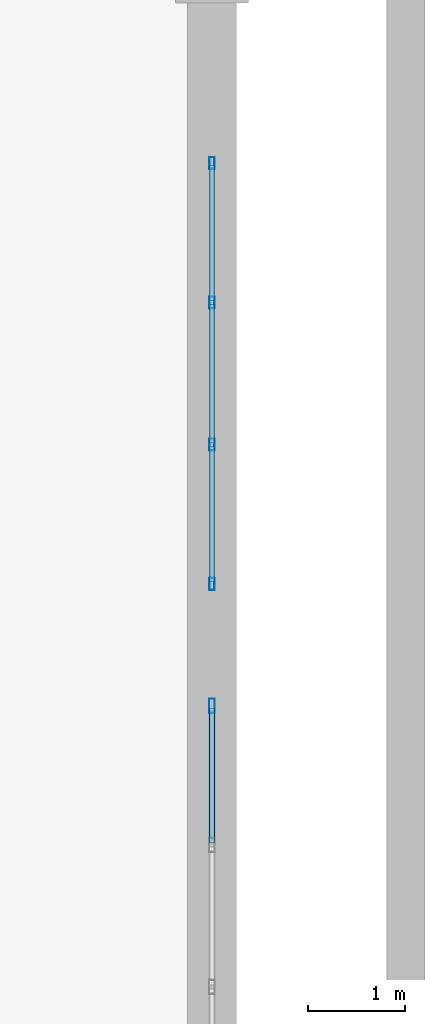
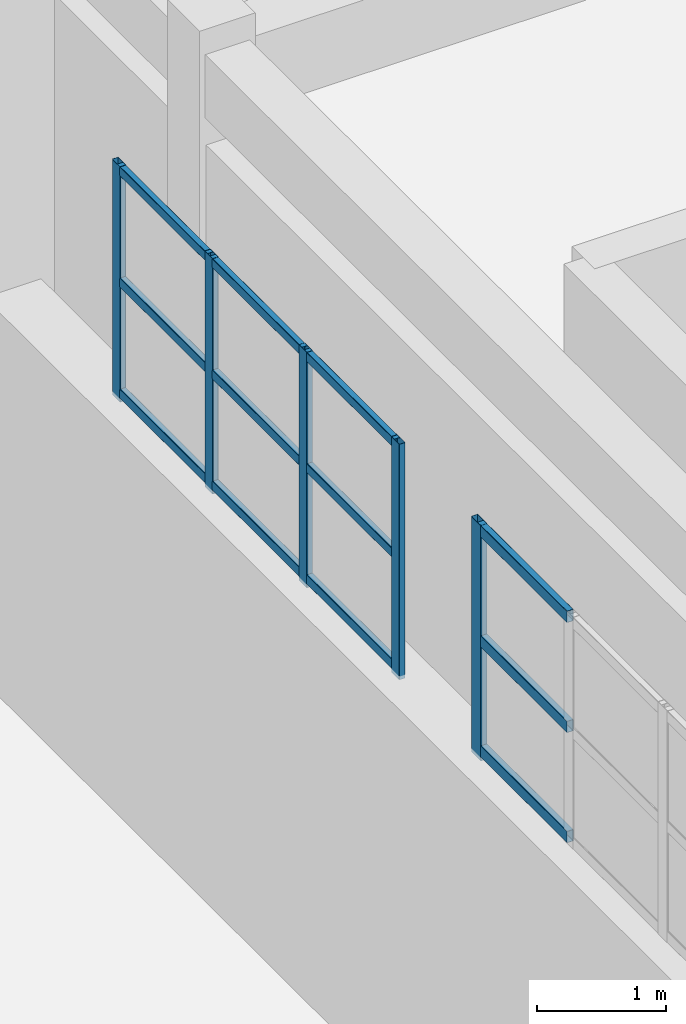
# One storey, part 115 of 197: 17 members, 2 elements without a shape of their own.
"""IFC4 building model written with IfcOpenShell, lengths in metres."""

from ifc_helpers import new_model, si_unit, derived_unit, direction, frame, origin, origin_2d, place, context, subcontext, project, spatial, hollow_rectangle, extrude, material, layer, layer_set, material_profile, profile_set, type_object, element, aggregate, save


model = new_model("IFC4")

# Units and contexts
model_context = context("Model", 3, precision=1e-05, world=origin(), true_north=direction((0.0, 1.0)))
body_context = subcontext(model_context, "Body", "Model", "MODEL_VIEW")
ifc_project = project(units=[si_unit("LENGTHUNIT", "METRE"), si_unit("AREAUNIT", "SQUARE_METRE"), si_unit("VOLUMEUNIT", "CUBIC_METRE"), si_unit("PLANEANGLEUNIT", "RADIAN"), si_unit("MASSUNIT", "GRAM", prefix="KILO"), derived_unit("THERMALTRANSMITTANCEUNIT", [(si_unit("POWERUNIT", "WATT"), 1), (si_unit("LENGTHUNIT", "METRE"), -2), (si_unit("THERMODYNAMICTEMPERATUREUNIT", "KELVIN"), -1)])], contexts=[model_context])

# Site, building, storey
site_placement = place(None, origin())
site = spatial("IfcSite", under=ifc_project, at=site_placement, CompositionType="ELEMENT")
building_placement = place(site_placement, origin())
building = spatial("IfcBuilding", under=site, at=building_placement, Name="Almenara Railside Exhibition Hall", CompositionType="ELEMENT")
storey_placement = place(building_placement, frame((0.0, 0.0, 5.39990234375)))
storey = spatial("IfcBuildingStorey", under=building, at=storey_placement, Name="L01", CompositionType="ELEMENT", Elevation=5.39990234375)

# Curtain wall, members
ifc_material_1 = material(Name="Bronze-anodised aluminium and low-E double glazing", Category="aluminium")
ifc_layer = layer(ifc_material_1, 0.179931640625, Name="Bronze-anodised aluminium and low-E double glazing")
ifc_layer_set = layer_set([ifc_layer], Name="Bronze-anodised aluminium and low-E double glazing")
curtain_wall_type = type_object("IfcCurtainWallType", Name="East Hall Clerestory Curtain Wall 4400x2300", PredefinedType="NOTDEFINED", material=ifc_layer_set)
curtain_wall_1_placement = place(storey_placement, origin())
curtain_wall_1 = element("IfcCurtainWall", 1, at=curtain_wall_1_placement, inside=storey, type_object=curtain_wall_type, Name="Curtain wall CW-CL3-054", PredefinedType="NOTDEFINED")
ifc_material_2 = material(Name="Bronze-anodised aluminium", Category="aluminium")
ifc_material_profile_1 = material_profile(ifc_material_2, hollow_rectangle(XDim=0.054931640625, YDim=0.125, WallThickness=0.0029296875, InnerFilletRadius=0.0029296875, OuterFilletRadius=0.006103515625, at=origin_2d()), Name="ALU-MUL 55x125x3")
ifc_profile_set_1 = profile_set([ifc_material_profile_1], Name="Bronze-anodised aluminium")
member_type_1 = type_object("IfcMemberType", Name="Curtain Wall Mullion 55x125x3", PredefinedType="MULLION", material=ifc_profile_set_1)
member_1_placement = place(storey_placement, frame((192.0, 41.62744140625, 3.614990234375), z_axis=(0.0, 0.0, 1.0), x_axis=(-1.0, 0.0, 0.0)))
member_1 = element("IfcMember", 2, at=member_1_placement, type_object=member_type_1, Name="CW-CL3-054 mullion 1", PredefinedType="MULLION", context=body_context, shape_type="SweptSolid", body=[
    extrude(hollow_rectangle(XDim=0.054931640625, YDim=0.125, WallThickness=0.0029296875, InnerFilletRadius=0.0029296875, OuterFilletRadius=0.006103515625, at=origin_2d()), origin(), (0.0, 0.0, 1.0), 2.235107421875),
])
member_2_placement = place(storey_placement, frame((192.0, 43.066650390625, 3.614990234375), z_axis=(0.0, 0.0, 1.0), x_axis=(-1.0, 0.0, 0.0)))
member_2 = element("IfcMember", 3, at=member_2_placement, type_object=member_type_1, Name="CW-CL3-054 mullion 2", PredefinedType="MULLION", context=body_context, shape_type="SweptSolid", body=[
    extrude(hollow_rectangle(XDim=0.054931640625, YDim=0.125, WallThickness=0.0029296875, InnerFilletRadius=0.0029296875, OuterFilletRadius=0.006103515625, at=origin_2d()), origin(), (0.0, 0.0, 1.0), 2.235107421875),
])
member_3_placement = place(storey_placement, frame((192.0, 44.533447265625, 3.614990234375), z_axis=(0.0, 0.0, 1.0), x_axis=(-1.0, 0.0, 0.0)))
member_3 = element("IfcMember", 4, at=member_3_placement, type_object=member_type_1, Name="CW-CL3-054 mullion 3", PredefinedType="MULLION", context=body_context, shape_type="SweptSolid", body=[
    extrude(hollow_rectangle(XDim=0.054931640625, YDim=0.125, WallThickness=0.0029296875, InnerFilletRadius=0.0029296875, OuterFilletRadius=0.006103515625, at=origin_2d()), origin(), (0.0, 0.0, 1.0), 2.235107421875),
])
member_4_placement = place(storey_placement, frame((192.0, 45.972412109375, 3.614990234375), z_axis=(0.0, 0.0, 1.0), x_axis=(-1.0, 0.0, 0.0)))
member_4 = element("IfcMember", 5, at=member_4_placement, type_object=member_type_1, Name="CW-CL3-054 mullion 4", PredefinedType="MULLION", context=body_context, shape_type="SweptSolid", body=[
    extrude(hollow_rectangle(XDim=0.054931640625, YDim=0.125, WallThickness=0.0029296875, InnerFilletRadius=0.0029296875, OuterFilletRadius=0.006103515625, at=origin_2d()), origin(), (0.0, 0.0, 1.0), 2.235107421875),
])

# Curtain wall, member
curtain_wall_2_placement = place(storey_placement, origin())
curtain_wall_2 = element("IfcCurtainWall", 6, at=curtain_wall_2_placement, inside=storey, type_object=curtain_wall_type, Name="Curtain wall CW-CL3-053", PredefinedType="NOTDEFINED")
ifc_material_profile_2 = material_profile(ifc_material_2, hollow_rectangle(XDim=0.06005859375, YDim=0.14990234375, WallThickness=0.00341796875, InnerFilletRadius=0.00341796875, OuterFilletRadius=0.007080078125, at=origin_2d()), Name="ALU-MUL 60x150x3.5")
ifc_profile_set_2 = profile_set([ifc_material_profile_2], Name="Bronze-anodised aluminium")
member_type_2 = type_object("IfcMemberType", Name="Curtain Wall Mullion 60x150x3.5", PredefinedType="MULLION", material=ifc_profile_set_2)
member_5_placement = place(storey_placement, frame((192.0, 40.3701171875, 3.614990234375), z_axis=(0.0, 0.0, 1.0), x_axis=(-1.0, 0.0, 0.0)))
member_5 = element("IfcMember", 7, at=member_5_placement, type_object=member_type_2, Name="CW-CL3-053 mullion 4", PredefinedType="MULLION", context=body_context, shape_type="SweptSolid", body=[
    extrude(hollow_rectangle(XDim=0.06005859375, YDim=0.14990234375, WallThickness=0.00341796875, InnerFilletRadius=0.00341796875, OuterFilletRadius=0.007080078125, at=origin_2d()), origin(), (0.0, 0.0, 1.0), 2.235107421875),
])

# Member
ifc_material_profile_3 = material_profile(ifc_material_2, hollow_rectangle(XDim=0.054931640625, YDim=0.090087890625, WallThickness=0.0029296875, InnerFilletRadius=0.0029296875, OuterFilletRadius=0.006103515625, at=origin_2d()), Name="ALU-TRN 55x90x3")
ifc_profile_set_3 = profile_set([ifc_material_profile_3], Name="Bronze-anodised aluminium")
member_type_3 = type_object("IfcMemberType", Name="Curtain Wall Transom 55x90x3", PredefinedType="USERDEFINED", material=ifc_profile_set_3)
member_6_placement = place(storey_placement, frame((192.0, 41.64697265625, 3.695068359375), z_axis=(0.0, 1.0, 0.0), x_axis=(-1.0, 0.0, 0.0)))
member_6 = element("IfcMember", 8, at=member_6_placement, type_object=member_type_3, Name="CW-CL3-054 transom 1.1", ObjectType="TRANSOM", PredefinedType="USERDEFINED", context=body_context, shape_type="SweptSolid", body=[
    extrude(hollow_rectangle(XDim=0.054931640625, YDim=0.090087890625, WallThickness=0.0029296875, InnerFilletRadius=0.0029296875, OuterFilletRadius=0.006103515625, at=origin_2d()), origin(), (0.0, 0.0, 1.0), 1.400146484375),
])

member_7_placement = place(storey_placement, frame((192.0, 41.64697265625, 4.75), z_axis=(0.0, 1.0, 0.0), x_axis=(-1.0, 0.0, 0.0)))
member_7 = element("IfcMember", 9, at=member_7_placement, type_object=member_type_3, Name="CW-CL3-054 transom 1.2", ObjectType="TRANSOM", PredefinedType="USERDEFINED", context=body_context, shape_type="SweptSolid", body=[
    extrude(hollow_rectangle(XDim=0.054931640625, YDim=0.090087890625, WallThickness=0.0029296875, InnerFilletRadius=0.0029296875, OuterFilletRadius=0.006103515625, at=origin_2d()), origin(), (0.0, 0.0, 1.0), 1.400146484375),
])

member_8_placement = place(storey_placement, frame((192.0, 41.64697265625, 5.80517578125), z_axis=(0.0, 1.0, 0.0), x_axis=(-1.0, 0.0, 0.0)))
member_8 = element("IfcMember", 10, at=member_8_placement, type_object=member_type_3, Name="CW-CL3-054 transom 1.3", ObjectType="TRANSOM", PredefinedType="USERDEFINED", context=body_context, shape_type="SweptSolid", body=[
    extrude(hollow_rectangle(XDim=0.054931640625, YDim=0.090087890625, WallThickness=0.0029296875, InnerFilletRadius=0.0029296875, OuterFilletRadius=0.006103515625, at=origin_2d()), origin(), (0.0, 0.0, 1.0), 1.400146484375),
])

member_9_placement = place(storey_placement, frame((192.0, 43.086181640625, 3.695068359375), z_axis=(0.0, 1.0, 0.0), x_axis=(-1.0, 0.0, 0.0)))
member_9 = element("IfcMember", 11, at=member_9_placement, type_object=member_type_3, Name="CW-CL3-054 transom 2.1", ObjectType="TRANSOM", PredefinedType="USERDEFINED", context=body_context, shape_type="SweptSolid", body=[
    extrude(hollow_rectangle(XDim=0.054931640625, YDim=0.090087890625, WallThickness=0.0029296875, InnerFilletRadius=0.0029296875, OuterFilletRadius=0.006103515625, at=origin_2d()), origin(), (0.0, 0.0, 1.0), 1.427734375),
])

member_10_placement = place(storey_placement, frame((192.0, 43.086181640625, 4.75), z_axis=(0.0, 1.0, 0.0), x_axis=(-1.0, 0.0, 0.0)))
member_10 = element("IfcMember", 12, at=member_10_placement, type_object=member_type_3, Name="CW-CL3-054 transom 2.2", ObjectType="TRANSOM", PredefinedType="USERDEFINED", context=body_context, shape_type="SweptSolid", body=[
    extrude(hollow_rectangle(XDim=0.054931640625, YDim=0.090087890625, WallThickness=0.0029296875, InnerFilletRadius=0.0029296875, OuterFilletRadius=0.006103515625, at=origin_2d()), origin(), (0.0, 0.0, 1.0), 1.427734375),
])

member_11_placement = place(storey_placement, frame((192.0, 43.086181640625, 5.80517578125), z_axis=(0.0, 1.0, 0.0), x_axis=(-1.0, 0.0, 0.0)))
member_11 = element("IfcMember", 13, at=member_11_placement, type_object=member_type_3, Name="CW-CL3-054 transom 2.3", ObjectType="TRANSOM", PredefinedType="USERDEFINED", context=body_context, shape_type="SweptSolid", body=[
    extrude(hollow_rectangle(XDim=0.054931640625, YDim=0.090087890625, WallThickness=0.0029296875, InnerFilletRadius=0.0029296875, OuterFilletRadius=0.006103515625, at=origin_2d()), origin(), (0.0, 0.0, 1.0), 1.427734375),
])

member_12_placement = place(storey_placement, frame((192.0, 44.552734375, 3.695068359375), z_axis=(0.0, 1.0, 0.0), x_axis=(-1.0, 0.0, 0.0)))
member_12 = element("IfcMember", 14, at=member_12_placement, type_object=member_type_3, Name="CW-CL3-054 transom 3.1", ObjectType="TRANSOM", PredefinedType="USERDEFINED", context=body_context, shape_type="SweptSolid", body=[
    extrude(hollow_rectangle(XDim=0.054931640625, YDim=0.090087890625, WallThickness=0.0029296875, InnerFilletRadius=0.0029296875, OuterFilletRadius=0.006103515625, at=origin_2d()), origin(), (0.0, 0.0, 1.0), 1.400146484375),
])

member_13_placement = place(storey_placement, frame((192.0, 44.552734375, 4.75), z_axis=(0.0, 1.0, 0.0), x_axis=(-1.0, 0.0, 0.0)))
member_13 = element("IfcMember", 15, at=member_13_placement, type_object=member_type_3, Name="CW-CL3-054 transom 3.2", ObjectType="TRANSOM", PredefinedType="USERDEFINED", context=body_context, shape_type="SweptSolid", body=[
    extrude(hollow_rectangle(XDim=0.054931640625, YDim=0.090087890625, WallThickness=0.0029296875, InnerFilletRadius=0.0029296875, OuterFilletRadius=0.006103515625, at=origin_2d()), origin(), (0.0, 0.0, 1.0), 1.400146484375),
])

member_14_placement = place(storey_placement, frame((192.0, 44.552734375, 5.80517578125), z_axis=(0.0, 1.0, 0.0), x_axis=(-1.0, 0.0, 0.0)))
member_14 = element("IfcMember", 16, at=member_14_placement, type_object=member_type_3, Name="CW-CL3-054 transom 3.3", ObjectType="TRANSOM", PredefinedType="USERDEFINED", context=body_context, shape_type="SweptSolid", body=[
    extrude(hollow_rectangle(XDim=0.054931640625, YDim=0.090087890625, WallThickness=0.0029296875, InnerFilletRadius=0.0029296875, OuterFilletRadius=0.006103515625, at=origin_2d()), origin(), (0.0, 0.0, 1.0), 1.400146484375),
])

aggregate(curtain_wall_1, [member_1, member_2, member_3, member_4, member_6, member_7, member_8, member_9, member_10, member_11, member_12, member_13, member_14])

ifc_material_profile_4 = material_profile(ifc_material_2, hollow_rectangle(XDim=0.06005859375, YDim=0.110107421875, WallThickness=0.0029296875, InnerFilletRadius=0.0029296875, OuterFilletRadius=0.006103515625, at=origin_2d()), Name="ALU-TRN 60x110x3")
ifc_profile_set_4 = profile_set([ifc_material_profile_4], Name="Bronze-anodised aluminium")
member_type_4 = type_object("IfcMemberType", Name="Curtain Wall Transom 60x110x3", PredefinedType="USERDEFINED", material=ifc_profile_set_4)
member_15_placement = place(storey_placement, frame((192.0, 38.955322265625, 3.705078125), z_axis=(0.0, 1.0, 0.0), x_axis=(-1.0, 0.0, 0.0)))
member_15 = element("IfcMember", 17, at=member_15_placement, type_object=member_type_4, Name="CW-CL3-053 transom 3.1", ObjectType="TRANSOM", PredefinedType="USERDEFINED", context=body_context, shape_type="SweptSolid", body=[
    extrude(hollow_rectangle(XDim=0.06005859375, YDim=0.110107421875, WallThickness=0.0029296875, InnerFilletRadius=0.0029296875, OuterFilletRadius=0.006103515625, at=origin_2d()), origin(), (0.0, 0.0, 1.0), 1.392578125),
])

member_16_placement = place(storey_placement, frame((192.0, 38.955322265625, 4.75), z_axis=(0.0, 1.0, 0.0), x_axis=(-1.0, 0.0, 0.0)))
member_16 = element("IfcMember", 18, at=member_16_placement, type_object=member_type_4, Name="CW-CL3-053 transom 3.2", ObjectType="TRANSOM", PredefinedType="USERDEFINED", context=body_context, shape_type="SweptSolid", body=[
    extrude(hollow_rectangle(XDim=0.06005859375, YDim=0.110107421875, WallThickness=0.0029296875, InnerFilletRadius=0.0029296875, OuterFilletRadius=0.006103515625, at=origin_2d()), origin(), (0.0, 0.0, 1.0), 1.392578125),
])

member_17_placement = place(storey_placement, frame((192.0, 38.955322265625, 5.795166015625), z_axis=(0.0, 1.0, 0.0), x_axis=(-1.0, 0.0, 0.0)))
member_17 = element("IfcMember", 19, at=member_17_placement, type_object=member_type_4, Name="CW-CL3-053 transom 3.3", ObjectType="TRANSOM", PredefinedType="USERDEFINED", context=body_context, shape_type="SweptSolid", body=[
    extrude(hollow_rectangle(XDim=0.06005859375, YDim=0.110107421875, WallThickness=0.0029296875, InnerFilletRadius=0.0029296875, OuterFilletRadius=0.006103515625, at=origin_2d()), origin(), (0.0, 0.0, 1.0), 1.392578125),
])

aggregate(curtain_wall_2, [member_5, member_15, member_16, member_17])

save(model, "model.ifc")
